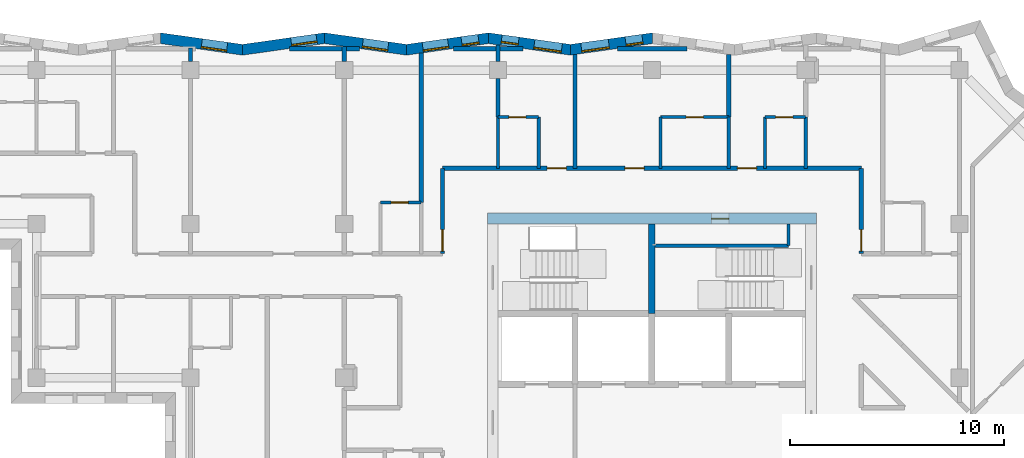
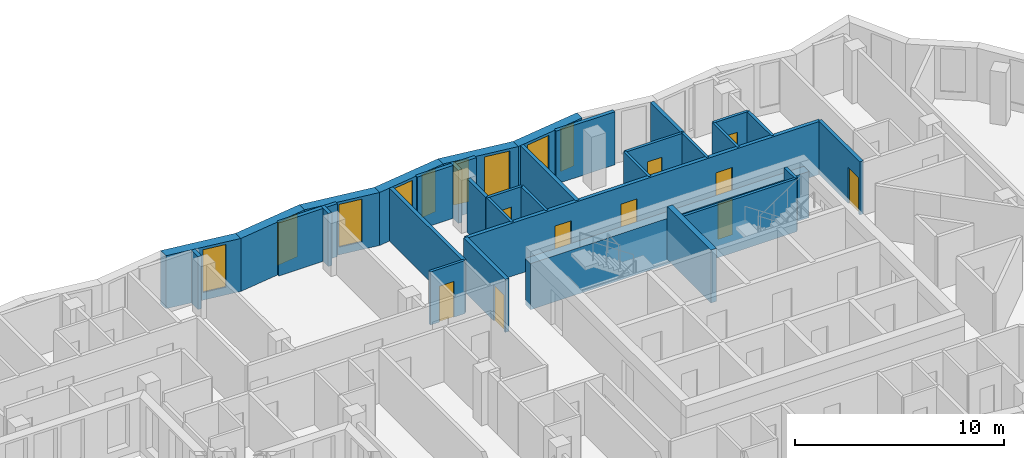
# One storey, part 7 of 13: 33 walls, 10 doors, 9 windows, 19 openings.
"""IFC4 building model written with IfcOpenShell, lengths in metres."""

from ifc_helpers import new_model, si_unit, direction, frame, frame_2d, origin, place, context, subcontext, project, spatial, polyline, rectangle, outline, extrude, material, layer, layer_set, type_object, element, fill, save


model = new_model("IFC4")

# Units and contexts
model_context = context("Model", 3, precision=1e-05, world=origin(), true_north=direction((0.0, 1.0)))
body_context = subcontext(model_context, "Body", "Model", "MODEL_VIEW")
ifc_project = project(units=[si_unit("LENGTHUNIT", "METRE"), si_unit("AREAUNIT", "SQUARE_METRE"), si_unit("VOLUMEUNIT", "CUBIC_METRE"), si_unit("PLANEANGLEUNIT", "RADIAN"), si_unit("MASSUNIT", "GRAM", prefix="KILO")], contexts=[model_context])

# Site, building, storey
site_placement = place(None, origin())
site = spatial("IfcSite", under=ifc_project, at=site_placement, CompositionType="ELEMENT")
building_placement = place(site_placement, origin())
building = spatial("IfcBuilding", under=site, at=building_placement, Name="Windrow Commons", CompositionType="ELEMENT")
storey_placement = place(building_placement, frame((0.0, 0.0, 216.8)))
storey = spatial("IfcBuildingStorey", under=building, at=storey_placement, Name="L59", CompositionType="ELEMENT", Elevation=216.8)

# Wall, openings, windows
ifc_material_1 = material(Name="Brick masonry, red clay brick", Category="masonry")
ifc_layer_1 = layer(ifc_material_1, 0.5)
ifc_layer_set_1 = layer_set([ifc_layer_1], Name="Brick facade wall 500")
wall_type_1 = type_object("IfcWallType", Name="Brick facade wall 500", PredefinedType="SOLIDWALL", material=ifc_layer_set_1)
wall_1_placement = place(storey_placement, frame((64.8238, 73.4895, 0.0), z_axis=(0.0, 0.0, 1.0), x_axis=(-0.9901681853, -0.1398819675, 0.0)))
wall_1 = element("IfcWall", 1, at=wall_1_placement, inside=storey, type_object=wall_type_1, Name="Brick facade wall L59 21", PredefinedType="SOLIDWALL", context=body_context, shape_type="SweptSolid", body=[
    extrude(outline(polyline([(-0.0353, -0.25), (3.8394, -0.25), (3.91, 0.25), (0.0353, 0.25), (-0.0353, -0.25)])), origin(), (0.0, 0.0, 1.0), 3.1),
])
opening_1_placement = place(wall_1_placement, frame((2.055, 0.0, 0.45)))
opening_1 = element("IfcOpeningElement", 2, at=opening_1_placement, cuts=wall_1, Name="Opening W1Q", PredefinedType="OPENING", context=body_context, shape_type="SweptSolid", body=[
    extrude(rectangle(XDim=1.3, YDim=2.5, at=frame_2d((0.65, 1.25))), frame((0.0, 0.26, 0.0), z_axis=(0.0, -1.0, 0.0), x_axis=(1.0, 0.0, 0.0)), (0.0, 0.0, 1.0), 0.52),
])
opening_2_placement = place(wall_1_placement, frame((0.465, 0.0, 0.45)))
opening_2 = element("IfcOpeningElement", 3, at=opening_2_placement, cuts=wall_1, Name="Opening W1N", PredefinedType="OPENING", context=body_context, shape_type="SweptSolid", body=[
    extrude(rectangle(XDim=0.8, YDim=2.5, at=frame_2d((0.4, 1.25))), frame((0.0, 0.26, 0.0), z_axis=(0.0, -1.0, 0.0), x_axis=(1.0, 0.0, 0.0)), (0.0, 0.0, 1.0), 0.52),
])
ifc_material_2 = material(Name="Clear float glass in anodised aluminium frame", Category="aluminium")
window_type_1 = type_object("IfcWindowType", Name="Window W1N slit 800x2500", PartitioningType="SINGLE_PANEL", PredefinedType="WINDOW", material=ifc_material_2)
window_1_placement = place(opening_2_placement, origin())
window_1 = element("IfcWindow", 4, at=window_1_placement, inside=storey, type_object=window_type_1, Name="Window L59 21.1AA", OverallHeight=2.5, OverallWidth=0.8, PartitioningType="SINGLE_PANEL", PredefinedType="WINDOW", context=body_context, shape_type="SweptSolid", body=[
    extrude(rectangle(XDim=0.8, YDim=2.5, at=frame_2d((0.4, 1.25))), frame((0.0, 0.18, 0.0), z_axis=(0.0, -1.0, 0.0), x_axis=(1.0, 0.0, 0.0)), (0.0, 0.0, 1.0), 0.06),
])
fill(opening_2, window_1)
ifc_material_3 = material(Name="Clear float glass in anodised aluminium frame", Category="aluminium")
window_type_2 = type_object("IfcWindowType", Name="Window W1Q pair 1300x2500", PartitioningType="SINGLE_PANEL", PredefinedType="WINDOW", material=ifc_material_3)
window_2_placement = place(opening_1_placement, origin())
window_2 = element("IfcWindow", 5, at=window_2_placement, inside=storey, type_object=window_type_2, Name="Window L59 21.1B", OverallHeight=2.5, OverallWidth=1.3, PartitioningType="SINGLE_PANEL", PredefinedType="WINDOW", context=body_context, shape_type="SweptSolid", body=[
    extrude(rectangle(XDim=1.3, YDim=2.5, at=frame_2d((0.65, 1.25))), frame((0.0, 0.18, 0.0), z_axis=(0.0, -1.0, 0.0), x_axis=(1.0, 0.0, 0.0)), (0.0, 0.0, 1.0), 0.06),
])
fill(opening_1, window_2)

wall_2_placement = place(storey_placement, frame((60.9872, 72.9475, 0.0), z_axis=(0.0, 0.0, 1.0), x_axis=(-0.9901681853, 0.1398819675, 0.0)))
wall_2 = element("IfcWall", 6, at=wall_2_placement, inside=storey, type_object=wall_type_1, Name="Brick facade wall L59 22", PredefinedType="SOLIDWALL", context=body_context, shape_type="SweptSolid", body=[
    extrude(outline(polyline([(0.0353, -0.25), (3.91, -0.25), (3.8394, 0.25), (-0.0353, 0.25), (0.0353, -0.25)])), origin(), (0.0, 0.0, 1.0), 3.1),
])
opening_3_placement = place(wall_2_placement, frame((0.4104, 0.0, 0.45)))
opening_3 = element("IfcOpeningElement", 7, at=opening_3_placement, cuts=wall_2, Name="Opening W1Q", PredefinedType="OPENING", context=body_context, shape_type="SweptSolid", body=[
    extrude(rectangle(XDim=1.3, YDim=2.5, at=frame_2d((0.65, 1.25))), frame((0.0, 0.26, 0.0), z_axis=(0.0, -1.0, 0.0), x_axis=(1.0, 0.0, 0.0)), (0.0, 0.0, 1.0), 0.52),
])
opening_4_placement = place(wall_2_placement, frame((2.4593, 0.0, 0.45)))
opening_4 = element("IfcOpeningElement", 8, at=opening_4_placement, cuts=wall_2, Name="Opening W1N", PredefinedType="OPENING", context=body_context, shape_type="SweptSolid", body=[
    extrude(rectangle(XDim=0.8, YDim=2.5, at=frame_2d((0.4, 1.25))), frame((0.0, 0.26, 0.0), z_axis=(0.0, -1.0, 0.0), x_axis=(1.0, 0.0, 0.0)), (0.0, 0.0, 1.0), 0.52),
])
window_3_placement = place(opening_4_placement, origin())
window_3 = element("IfcWindow", 9, at=window_3_placement, inside=storey, type_object=window_type_1, Name="Window L59 22.1BA", OverallHeight=2.5, OverallWidth=0.8, PartitioningType="SINGLE_PANEL", PredefinedType="WINDOW", context=body_context, shape_type="SweptSolid", body=[
    extrude(rectangle(XDim=0.8, YDim=2.5, at=frame_2d((0.4, 1.25))), frame((0.0, 0.12, 0.0), z_axis=(0.0, -1.0, 0.0), x_axis=(1.0, 0.0, 0.0)), (0.0, 0.0, 1.0), 0.06),
])
fill(opening_4, window_3)
window_4_placement = place(opening_3_placement, origin())
window_4 = element("IfcWindow", 10, at=window_4_placement, inside=storey, type_object=window_type_2, Name="Window L59 22.1A", OverallHeight=2.5, OverallWidth=1.3, PartitioningType="SINGLE_PANEL", PredefinedType="WINDOW", context=body_context, shape_type="SweptSolid", body=[
    extrude(rectangle(XDim=1.3, YDim=2.5, at=frame_2d((0.65, 1.25))), frame((0.0, 0.18, 0.0), z_axis=(0.0, -1.0, 0.0), x_axis=(1.0, 0.0, 0.0)), (0.0, 0.0, 1.0), 0.06),
])
fill(opening_3, window_4)

wall_3_placement = place(storey_placement, frame((57.1506, 73.4895, 0.0), z_axis=(0.0, 0.0, 1.0), x_axis=(-0.9901676803, -0.1398855422, 0.0)))
wall_3 = element("IfcWall", 11, at=wall_3_placement, inside=storey, type_object=wall_type_1, Name="Brick facade wall L59 23", PredefinedType="SOLIDWALL", context=body_context, shape_type="SweptSolid", body=[
    extrude(outline(polyline([(-0.0353, -0.25), (3.8394, -0.25), (3.91, 0.25), (0.0353, 0.25), (-0.0353, -0.25)])), origin(), (0.0, 0.0, 1.0), 3.1),
])
opening_5_placement = place(wall_3_placement, frame((0.465, 0.0, 0.45)))
opening_5 = element("IfcOpeningElement", 12, at=opening_5_placement, cuts=wall_3, Name="Opening W1N", PredefinedType="OPENING", context=body_context, shape_type="SweptSolid", body=[
    extrude(rectangle(XDim=0.8, YDim=2.5, at=frame_2d((0.4, 1.25))), frame((0.0, 0.26, 0.0), z_axis=(0.0, -1.0, 0.0), x_axis=(1.0, 0.0, 0.0)), (0.0, 0.0, 1.0), 0.52),
])
opening_6_placement = place(wall_3_placement, frame((1.9023, 0.0, 0.5)))
opening_6 = element("IfcOpeningElement", 13, at=opening_6_placement, cuts=wall_3, Name="Opening W7D", PredefinedType="OPENING", context=body_context, shape_type="SweptSolid", body=[
    extrude(rectangle(XDim=1.2, YDim=2.45, at=frame_2d((0.6, 1.225))), frame((0.0, 0.26, 0.0), z_axis=(0.0, -1.0, 0.0), x_axis=(1.0, 0.0, 0.0)), (0.0, 0.0, 1.0), 0.52),
])
window_5_placement = place(opening_5_placement, origin())
window_5 = element("IfcWindow", 14, at=window_5_placement, inside=storey, type_object=window_type_1, Name="Window L59 23.1A", OverallHeight=2.5, OverallWidth=0.8, PartitioningType="SINGLE_PANEL", PredefinedType="WINDOW", context=body_context, shape_type="SweptSolid", body=[
    extrude(rectangle(XDim=0.8, YDim=2.5, at=frame_2d((0.4, 1.25))), frame((0.0, 0.18, 0.0), z_axis=(0.0, -1.0, 0.0), x_axis=(1.0, 0.0, 0.0)), (0.0, 0.0, 1.0), 0.06),
])
fill(opening_5, window_5)
ifc_material_4 = material(Name="Clear float glass in anodised aluminium frame", Category="aluminium")
window_type_3 = type_object("IfcWindowType", Name="Window W7 notch 1200x2450", PartitioningType="SINGLE_PANEL", PredefinedType="WINDOW", material=ifc_material_4)
window_6_placement = place(opening_6_placement, origin())
window_6 = element("IfcWindow", 15, at=window_6_placement, inside=storey, type_object=window_type_3, Name="Window L59 23.1B", OverallHeight=2.45, OverallWidth=1.2, PartitioningType="SINGLE_PANEL", PredefinedType="WINDOW", context=body_context, shape_type="SweptSolid", body=[
    extrude(rectangle(XDim=1.2, YDim=2.45, at=frame_2d((0.6, 1.225))), frame((0.0, 0.18, 0.0), z_axis=(0.0, -1.0, 0.0), x_axis=(1.0, 0.0, 0.0)), (0.0, 0.0, 1.0), 0.06),
])
fill(opening_6, window_6)

# Wall, opening, window
wall_4_placement = place(storey_placement, frame((53.3141, 72.9475, 0.0), z_axis=(0.0, 0.0, 1.0), x_axis=(-0.9901681853, 0.1398819675, 0.0)))
wall_4 = element("IfcWall", 16, at=wall_4_placement, inside=storey, type_object=wall_type_1, Name="Brick facade wall L59 24", PredefinedType="SOLIDWALL", context=body_context, shape_type="SweptSolid", body=[
    extrude(outline(polyline([(0.0353, -0.25), (3.91, -0.25), (3.8394, 0.25), (-0.0353, 0.25), (0.0353, -0.25)])), origin(), (0.0, 0.0, 1.0), 3.1),
])
opening_7_placement = place(wall_4_placement, frame((0.8715, 0.0, 0.45)))
opening_7 = element("IfcOpeningElement", 17, at=opening_7_placement, cuts=wall_4, Name="Opening W7E", PredefinedType="OPENING", context=body_context, shape_type="SweptSolid", body=[
    extrude(rectangle(XDim=1.2, YDim=2.5, at=frame_2d((0.6, 1.25))), frame((0.0, 0.26, 0.0), z_axis=(0.0, -1.0, 0.0), x_axis=(1.0, 0.0, 0.0)), (0.0, 0.0, 1.0), 0.52),
])
ifc_material_5 = material(Name="Clear float glass in anodised aluminium frame", Category="aluminium")
window_type_4 = type_object("IfcWindowType", Name="Window W7 notch 1200x2500", PartitioningType="SINGLE_PANEL", PredefinedType="WINDOW", material=ifc_material_5)
window_7_placement = place(opening_7_placement, origin())
window_7 = element("IfcWindow", 18, at=window_7_placement, inside=storey, type_object=window_type_4, Name="Window L59 24.1", OverallHeight=2.5, OverallWidth=1.2, PartitioningType="SINGLE_PANEL", PredefinedType="WINDOW", context=body_context, shape_type="SweptSolid", body=[
    extrude(rectangle(XDim=1.2, YDim=2.5, at=frame_2d((0.6, 1.25))), frame((0.0, 0.18, 0.0), z_axis=(0.0, -1.0, 0.0), x_axis=(1.0, 0.0, 0.0)), (0.0, 0.0, 1.0), 0.06),
])
fill(opening_7, window_7)

wall_5_placement = place(storey_placement, frame((49.4775, 73.4895, 0.0), z_axis=(0.0, 0.0, 1.0), x_axis=(-0.9901681853, -0.1398819675, 0.0)))
wall_5 = element("IfcWall", 19, at=wall_5_placement, inside=storey, type_object=wall_type_1, Name="Brick facade wall L59 25", PredefinedType="SOLIDWALL", context=body_context, shape_type="SweptSolid", body=[
    extrude(outline(polyline([(-0.0353, -0.25), (3.8394, -0.25), (3.91, 0.25), (0.0353, 0.25), (-0.0353, -0.25)])), origin(), (0.0, 0.0, 1.0), 3.1),
])
opening_8_placement = place(wall_5_placement, frame((0.3697, 0.0, 0.45)))
opening_8 = element("IfcOpeningElement", 20, at=opening_8_placement, cuts=wall_5, Name="Opening W7E", PredefinedType="OPENING", context=body_context, shape_type="SweptSolid", body=[
    extrude(rectangle(XDim=1.2, YDim=2.5, at=frame_2d((0.6, 1.25))), frame((0.0, 0.26, 0.0), z_axis=(0.0, -1.0, 0.0), x_axis=(1.0, 0.0, 0.0)), (0.0, 0.0, 1.0), 0.52),
])
window_8_placement = place(opening_8_placement, origin())
window_8 = element("IfcWindow", 21, at=window_8_placement, inside=storey, type_object=window_type_4, Name="Window L59 25.1", OverallHeight=2.5, OverallWidth=1.2, PartitioningType="SINGLE_PANEL", PredefinedType="WINDOW", context=body_context, shape_type="SweptSolid", body=[
    extrude(rectangle(XDim=1.2, YDim=2.5, at=frame_2d((0.6, 1.25))), frame((0.0, 0.14, 0.0), z_axis=(0.0, -1.0, 0.0), x_axis=(1.0, 0.0, 0.0)), (0.0, 0.0, 1.0), 0.06),
])
fill(opening_8, window_8)

wall_6_placement = place(storey_placement, frame((45.6409, 72.9475, 0.0), z_axis=(0.0, 0.0, 1.0), x_axis=(-0.9901681853, 0.1398819675, 0.0)))
wall_6 = element("IfcWall", 22, at=wall_6_placement, inside=storey, type_object=wall_type_1, Name="Brick facade wall L59 26", PredefinedType="SOLIDWALL", context=body_context, shape_type="SweptSolid", body=[
    extrude(outline(polyline([(0.0353, -0.25), (3.91, -0.25), (3.8394, 0.25), (-0.0353, 0.25), (0.0353, -0.25)])), origin(), (0.0, 0.0, 1.0), 3.1),
])
opening_9_placement = place(wall_6_placement, frame((0.7326, 0.0, 0.45)))
opening_9 = element("IfcOpeningElement", 23, at=opening_9_placement, cuts=wall_6, Name="Opening W7E", PredefinedType="OPENING", context=body_context, shape_type="SweptSolid", body=[
    extrude(rectangle(XDim=1.2, YDim=2.5, at=frame_2d((0.6, 1.25))), frame((0.0, 0.26, 0.0), z_axis=(0.0, -1.0, 0.0), x_axis=(1.0, 0.0, 0.0)), (0.0, 0.0, 1.0), 0.52),
])
window_9_placement = place(opening_9_placement, origin())
window_9 = element("IfcWindow", 24, at=window_9_placement, inside=storey, type_object=window_type_4, Name="Window L59 26.1", OverallHeight=2.5, OverallWidth=1.2, PartitioningType="SINGLE_PANEL", PredefinedType="WINDOW", context=body_context, shape_type="SweptSolid", body=[
    extrude(rectangle(XDim=1.2, YDim=2.5, at=frame_2d((0.6, 1.25))), frame((0.0, 0.18, 0.0), z_axis=(0.0, -1.0, 0.0), x_axis=(1.0, 0.0, 0.0)), (0.0, 0.0, 1.0), 0.06),
])
fill(opening_9, window_9)

# Wall, openings, doors
ifc_material_6 = material(Name="Blockwork partition", Category="masonry")
ifc_layer_2 = layer(ifc_material_6, 0.2)
ifc_layer_set_2 = layer_set([ifc_layer_2], Name="IW-CORRIDOR-200")
wall_type_2 = type_object("IfcWallType", Name="IW-CORRIDOR-200", PredefinedType="PARTITIONING", material=ifc_layer_set_2)
wall_7_placement = place(storey_placement, frame((55.0, 67.4, 0.0), z_axis=(0.0, 0.0, 1.0), x_axis=(1.0, 0.0, 0.0)))
wall_7 = element("IfcWall", 25, at=wall_7_placement, inside=storey, type_object=wall_type_2, Name="W-L59-W000", PredefinedType="PARTITIONING", context=body_context, shape_type="SweptSolid", body=[
    extrude(rectangle(XDim=19.6, YDim=0.2, at=frame_2d((9.8, 0.0))), origin(), (0.0, 0.0, 1.0), 3.1),
])
opening_10_placement = place(wall_7_placement, frame((4.9, 0.0, 0.0)))
opening_10 = element("IfcOpeningElement", 26, at=opening_10_placement, cuts=wall_7, Name="Opening D109S", PredefinedType="OPENING", context=body_context, shape_type="SweptSolid", body=[
    extrude(rectangle(XDim=0.9, YDim=2.1, at=frame_2d((0.45, 1.05))), frame((0.0, 0.11, 0.0), z_axis=(0.0, -1.0, 0.0), x_axis=(1.0, 0.0, 0.0)), (0.0, 0.0, 1.0), 0.22),
])
opening_11_placement = place(wall_7_placement, frame((8.5393, 0.0, 0.0)))
opening_11 = element("IfcOpeningElement", 27, at=opening_11_placement, cuts=wall_7, Name="Opening D109F", PredefinedType="OPENING", context=body_context, shape_type="SweptSolid", body=[
    extrude(rectangle(XDim=0.9, YDim=2.1, at=frame_2d((0.45, 1.05))), frame((0.0, 0.11, 0.0), z_axis=(0.0, -1.0, 0.0), x_axis=(1.0, 0.0, 0.0)), (0.0, 0.0, 1.0), 0.22),
])
opening_12_placement = place(wall_7_placement, frame((13.8, 0.0, 0.0)))
opening_12 = element("IfcOpeningElement", 28, at=opening_12_placement, cuts=wall_7, Name="Opening D109S", PredefinedType="OPENING", context=body_context, shape_type="SweptSolid", body=[
    extrude(rectangle(XDim=0.9, YDim=2.1, at=frame_2d((0.45, 1.05))), frame((0.0, 0.11, 0.0), z_axis=(0.0, -1.0, 0.0), x_axis=(1.0, 0.0, 0.0)), (0.0, 0.0, 1.0), 0.22),
])
ifc_material_7 = material(Name="Timber door leaf", Category="wood")
door_type_1 = type_object("IfcDoorType", Name="DT-BEDROOM-900", OperationType="SINGLE_SWING_LEFT", PredefinedType="DOOR", material=ifc_material_7)
door_1_placement = place(opening_10_placement, origin())
door_1 = element("IfcDoor", 29, at=door_1_placement, inside=storey, type_object=door_type_1, Name="D-L59-D027", OperationType="SINGLE_SWING_RIGHT", OverallHeight=2.1, OverallWidth=0.9, PredefinedType="DOOR", context=body_context, shape_type="SweptSolid", body=[
    extrude(rectangle(XDim=0.9, YDim=2.1, at=frame_2d((0.45, 1.05))), frame((0.0, 0.025, 0.0), z_axis=(0.0, -1.0, 0.0), x_axis=(1.0, 0.0, 0.0)), (0.0, 0.0, 1.0), 0.05),
])
fill(opening_10, door_1)
door_2_placement = place(opening_11_placement, origin())
door_2 = element("IfcDoor", 30, at=door_2_placement, inside=storey, type_object=door_type_1, Name="D-L59-D029", OperationType="SINGLE_SWING_LEFT", OverallHeight=2.1, OverallWidth=0.9, PredefinedType="DOOR", context=body_context, shape_type="SweptSolid", body=[
    extrude(rectangle(XDim=0.9, YDim=2.1, at=frame_2d((0.45, 1.05))), frame((0.0, 0.025, 0.0), z_axis=(0.0, -1.0, 0.0), x_axis=(1.0, 0.0, 0.0)), (0.0, 0.0, 1.0), 0.05),
])
fill(opening_11, door_2)
door_3_placement = place(opening_12_placement, origin())
door_3 = element("IfcDoor", 31, at=door_3_placement, inside=storey, type_object=door_type_1, Name="D-L59-D031", OperationType="SINGLE_SWING_LEFT", OverallHeight=2.1, OverallWidth=0.9, PredefinedType="DOOR", context=body_context, shape_type="SweptSolid", body=[
    extrude(rectangle(XDim=0.9, YDim=2.1, at=frame_2d((0.45, 1.05))), frame((0.0, 0.025, 0.0), z_axis=(0.0, -1.0, 0.0), x_axis=(1.0, 0.0, 0.0)), (0.0, 0.0, 1.0), 0.05),
])
fill(opening_12, door_3)

# Wall, opening, door
wall_8_placement = place(storey_placement, frame((55.0, 63.402, 0.0), z_axis=(0.0, 0.0, 1.0), x_axis=(0.0, 1.0, 0.0)))
wall_8 = element("IfcWall", 32, at=wall_8_placement, inside=storey, type_object=wall_type_2, Name="W-L59-W041", PredefinedType="PARTITIONING", context=body_context, shape_type="SweptSolid", body=[
    extrude(rectangle(XDim=3.998, YDim=0.2, at=frame_2d((1.999, 0.0))), origin(), (0.0, 0.0, 1.0), 3.1),
])
opening_13_placement = place(wall_8_placement, frame((0.1247, 0.0, 0.0)))
opening_13 = element("IfcOpeningElement", 33, at=opening_13_placement, cuts=wall_8, Name="Opening D310F", PredefinedType="OPENING", context=body_context, shape_type="SweptSolid", body=[
    extrude(rectangle(XDim=1.0, YDim=2.1, at=frame_2d((0.5, 1.05))), frame((0.0, 0.11, 0.0), z_axis=(0.0, -1.0, 0.0), x_axis=(1.0, 0.0, 0.0)), (0.0, 0.0, 1.0), 0.22),
])
ifc_material_8 = material(Name="Timber door leaf", Category="wood")
door_type_2 = type_object("IfcDoorType", Name="DT-AMENITY-1000", OperationType="SINGLE_SWING_LEFT", PredefinedType="DOOR", material=ifc_material_8)
door_4_placement = place(opening_13_placement, origin())
door_4 = element("IfcDoor", 34, at=door_4_placement, inside=storey, type_object=door_type_2, Name="D-L59-D015", OperationType="SINGLE_SWING_LEFT", OverallHeight=2.1, OverallWidth=1.0, PredefinedType="DOOR", context=body_context, shape_type="SweptSolid", body=[
    extrude(rectangle(XDim=1.0, YDim=2.1, at=frame_2d((0.5, 1.05))), frame((0.0, 0.025, 0.0), z_axis=(0.0, -1.0, 0.0), x_axis=(1.0, 0.0, 0.0)), (0.0, 0.0, 1.0), 0.05),
])
fill(opening_13, door_4)

wall_9_placement = place(storey_placement, frame((74.6, 63.402, 0.0), z_axis=(0.0, 0.0, 1.0), x_axis=(0.0, 1.0, 0.0)))
wall_9 = element("IfcWall", 35, at=wall_9_placement, inside=storey, type_object=wall_type_2, Name="W-L59-W042", PredefinedType="PARTITIONING", context=body_context, shape_type="SweptSolid", body=[
    extrude(rectangle(XDim=3.998, YDim=0.2, at=frame_2d((1.999, 0.0))), origin(), (0.0, 0.0, 1.0), 3.1),
])
opening_14_placement = place(wall_9_placement, frame((0.1247, 0.0, 0.0)))
opening_14 = element("IfcOpeningElement", 36, at=opening_14_placement, cuts=wall_9, Name="Opening D310F", PredefinedType="OPENING", context=body_context, shape_type="SweptSolid", body=[
    extrude(rectangle(XDim=1.0, YDim=2.1, at=frame_2d((0.5, 1.05))), frame((0.0, 0.11, 0.0), z_axis=(0.0, -1.0, 0.0), x_axis=(1.0, 0.0, 0.0)), (0.0, 0.0, 1.0), 0.22),
])
door_5_placement = place(opening_14_placement, origin())
door_5 = element("IfcDoor", 37, at=door_5_placement, inside=storey, type_object=door_type_2, Name="D-L59-D016", OperationType="SINGLE_SWING_RIGHT", OverallHeight=2.1, OverallWidth=1.0, PredefinedType="DOOR", context=body_context, shape_type="SweptSolid", body=[
    extrude(rectangle(XDim=1.0, YDim=2.1, at=frame_2d((0.5, 1.05))), frame((0.0, 0.025, 0.0), z_axis=(0.0, -1.0, 0.0), x_axis=(1.0, 0.0, 0.0)), (0.0, 0.0, 1.0), 0.05),
])
fill(opening_14, door_5)

ifc_material_9 = material(Name="Blockwork partition", Category="masonry")
ifc_layer_3 = layer(ifc_material_9, 0.15)
ifc_layer_set_3 = layer_set([ifc_layer_3], Name="IW-ENSUITE-150")
wall_type_3 = type_object("IfcWallType", Name="IW-ENSUITE-150", PredefinedType="PARTITIONING", material=ifc_layer_set_3)
wall_10_placement = place(storey_placement, frame((65.2, 69.8, 0.0), z_axis=(0.0, 0.0, 1.0), x_axis=(1.0, 0.0, 0.0)))
wall_10 = element("IfcWall", 38, at=wall_10_placement, inside=storey, type_object=wall_type_3, Name="W-L59-W056", PredefinedType="PARTITIONING", context=body_context, shape_type="SweptSolid", body=[
    extrude(rectangle(XDim=3.2, YDim=0.15, at=frame_2d((1.6, 0.0))), origin(), (0.0, 0.0, 1.0), 3.1),
])
opening_15_placement = place(wall_10_placement, frame((1.2042, 0.0, 0.0)))
opening_15 = element("IfcOpeningElement", 39, at=opening_15_placement, cuts=wall_10, Name="Opening D208N", PredefinedType="OPENING", context=body_context, shape_type="SweptSolid", body=[
    extrude(rectangle(XDim=0.8, YDim=2.1, at=frame_2d((0.4, 1.05))), frame((0.0, 0.085, 0.0), z_axis=(0.0, -1.0, 0.0), x_axis=(1.0, 0.0, 0.0)), (0.0, 0.0, 1.0), 0.17),
])
ifc_material_10 = material(Name="Timber door leaf", Category="wood")
door_type_3 = type_object("IfcDoorType", Name="DT-ENSUITE-800", OperationType="SINGLE_SWING_LEFT", PredefinedType="DOOR", material=ifc_material_10)
door_6_placement = place(opening_15_placement, origin())
door_6 = element("IfcDoor", 40, at=door_6_placement, inside=storey, type_object=door_type_3, Name="D-L59-D030", OperationType="SINGLE_SWING_RIGHT", OverallHeight=2.1, OverallWidth=0.8, PredefinedType="DOOR", context=body_context, shape_type="SweptSolid", body=[
    extrude(rectangle(XDim=0.8, YDim=2.1, at=frame_2d((0.4, 1.05))), frame((0.0, 0.025, 0.0), z_axis=(0.0, -1.0, 0.0), x_axis=(1.0, 0.0, 0.0)), (0.0, 0.0, 1.0), 0.05),
])
fill(opening_15, door_6)

# Walls
for number, where, z_axis, x_axis, name in (
    (41, (59.5, 67.4, 0.0), (0.0, 0.0, 1.0), (0.0, 1.0, 0.0), "W-L59-W089"),
    (42, (57.6, 67.4, 0.0), (0.0, 0.0, 1.0), (0.0, 1.0, 0.0), "W-L59-W090"),
    (43, (65.2, 67.4, 0.0), (0.0, 0.0, 1.0), (0.0, 1.0, 0.0), "W-L59-W091"),
    (44, (68.4, 67.4, 0.0), (0.0, 0.0, 1.0), (0.0, 1.0, 0.0), "W-L59-W092"),
    (45, (70.1, 67.4, 0.0), (0.0, 0.0, 1.0), (0.0, 1.0, 0.0), "W-L59-W093"),
    (46, (72.0, 67.4, 0.0), (0.0, 0.0, 1.0), (0.0, 1.0, 0.0), "W-L59-W094"),
):
    element("IfcWall", number, at=place(storey_placement, frame(where, z_axis=z_axis, x_axis=x_axis)), inside=storey, type_object=wall_type_3, Name=name, PredefinedType="PARTITIONING", context=body_context, shape_type="SweptSolid", body=[
        extrude(rectangle(XDim=2.4, YDim=0.15, at=frame_2d((1.2, 0.0))), origin(), (0.0, 0.0, 1.0), 3.1),
    ])

# Wall, opening, door
wall_11_placement = place(storey_placement, frame((70.1, 69.8, 0.0), z_axis=(0.0, 0.0, 1.0), x_axis=(1.0, 0.0, 0.0)))
wall_11 = element("IfcWall", 47, at=wall_11_placement, inside=storey, type_object=wall_type_3, Name="W-L59-W113", PredefinedType="PARTITIONING", context=body_context, shape_type="SweptSolid", body=[
    extrude(rectangle(XDim=1.9, YDim=0.15, at=frame_2d((0.95, 0.0))), origin(), (0.0, 0.0, 1.0), 3.1),
])
opening_16_placement = place(wall_11_placement, frame((0.4931, 0.0, 0.0)))
opening_16 = element("IfcOpeningElement", 48, at=opening_16_placement, cuts=wall_11, Name="Opening D208N", PredefinedType="OPENING", context=body_context, shape_type="SweptSolid", body=[
    extrude(rectangle(XDim=0.8, YDim=2.1, at=frame_2d((0.4, 1.05))), frame((0.0, 0.085, 0.0), z_axis=(0.0, -1.0, 0.0), x_axis=(1.0, 0.0, 0.0)), (0.0, 0.0, 1.0), 0.17),
])
door_7_placement = place(opening_16_placement, origin())
door_7 = element("IfcDoor", 49, at=door_7_placement, inside=storey, type_object=door_type_3, Name="D-L59-D032", OperationType="SINGLE_SWING_RIGHT", OverallHeight=2.1, OverallWidth=0.8, PredefinedType="DOOR", context=body_context, shape_type="SweptSolid", body=[
    extrude(rectangle(XDim=0.8, YDim=2.1, at=frame_2d((0.4, 1.05))), frame((0.0, 0.025, 0.0), z_axis=(0.0, -1.0, 0.0), x_axis=(1.0, 0.0, 0.0)), (0.0, 0.0, 1.0), 0.05),
])
fill(opening_16, door_7)

wall_12_placement = place(storey_placement, frame((52.1, 65.8, 0.0), z_axis=(0.0, 0.0, 1.0), x_axis=(1.0, 0.0, 0.0)))
wall_12 = element("IfcWall", 50, at=wall_12_placement, inside=storey, type_object=wall_type_3, Name="W-L59-W118", PredefinedType="PARTITIONING", context=body_context, shape_type="SweptSolid", body=[
    extrude(rectangle(XDim=1.9, YDim=0.15, at=frame_2d((0.95, 0.0))), origin(), (0.0, 0.0, 1.0), 3.1),
])
opening_17_placement = place(wall_12_placement, frame((0.4931, 0.0, 0.0)))
opening_17 = element("IfcOpeningElement", 51, at=opening_17_placement, cuts=wall_12, Name="Opening D208N", PredefinedType="OPENING", context=body_context, shape_type="SweptSolid", body=[
    extrude(rectangle(XDim=0.8, YDim=2.1, at=frame_2d((0.4, 1.05))), frame((0.0, 0.085, 0.0), z_axis=(0.0, -1.0, 0.0), x_axis=(1.0, 0.0, 0.0)), (0.0, 0.0, 1.0), 0.17),
])
door_8_placement = place(opening_17_placement, origin())
door_8 = element("IfcDoor", 52, at=door_8_placement, inside=storey, type_object=door_type_3, Name="D-L59-D014", OperationType="SINGLE_SWING_RIGHT", OverallHeight=2.1, OverallWidth=0.8, PredefinedType="DOOR", context=body_context, shape_type="SweptSolid", body=[
    extrude(rectangle(XDim=0.8, YDim=2.1, at=frame_2d((0.4, 1.05))), frame((0.0, 0.025, 0.0), z_axis=(0.0, -1.0, 0.0), x_axis=(1.0, 0.0, 0.0)), (0.0, 0.0, 1.0), 0.05),
])
fill(opening_17, door_8)

wall_13_placement = place(storey_placement, frame((57.6, 69.8, 0.0), z_axis=(0.0, 0.0, 1.0), x_axis=(1.0, 0.0, 0.0)))
wall_13 = element("IfcWall", 53, at=wall_13_placement, inside=storey, type_object=wall_type_3, Name="W-L59-W120", PredefinedType="PARTITIONING", context=body_context, shape_type="SweptSolid", body=[
    extrude(rectangle(XDim=1.9, YDim=0.15, at=frame_2d((0.95, 0.0))), origin(), (0.0, 0.0, 1.0), 3.1),
])
opening_18_placement = place(wall_13_placement, frame((0.5021, 0.0, 0.0)))
opening_18 = element("IfcOpeningElement", 54, at=opening_18_placement, cuts=wall_13, Name="Opening D208N", PredefinedType="OPENING", context=body_context, shape_type="SweptSolid", body=[
    extrude(rectangle(XDim=0.8, YDim=2.1, at=frame_2d((0.4, 1.05))), frame((0.0, 0.085, 0.0), z_axis=(0.0, -1.0, 0.0), x_axis=(1.0, 0.0, 0.0)), (0.0, 0.0, 1.0), 0.17),
])
door_9_placement = place(opening_18_placement, origin())
door_9 = element("IfcDoor", 55, at=door_9_placement, inside=storey, type_object=door_type_3, Name="D-L59-D028", OperationType="SINGLE_SWING_RIGHT", OverallHeight=2.1, OverallWidth=0.8, PredefinedType="DOOR", context=body_context, shape_type="SweptSolid", body=[
    extrude(rectangle(XDim=0.8, YDim=2.1, at=frame_2d((0.4, 1.05))), frame((0.0, 0.025, 0.0), z_axis=(0.0, -1.0, 0.0), x_axis=(1.0, 0.0, 0.0)), (0.0, 0.0, 1.0), 0.05),
])
fill(opening_18, door_9)

# Walls
ifc_material_11 = material(Name="Blockwork partition", Category="masonry")
ifc_layer_4 = layer(ifc_material_11, 0.2)
ifc_layer_set_4 = layer_set([ifc_layer_4], Name="IW-PARTY-200")
wall_type_4 = type_object("IfcWallType", Name="IW-PARTY-200", PredefinedType="PARTITIONING", material=ifc_layer_set_4)
wall_14_placement = place(storey_placement, frame((54.0, 65.8, 0.0), z_axis=(0.0, 0.0, 1.0), x_axis=(0.0, 1.0, 0.0)))
element("IfcWall", 56, at=wall_14_placement, inside=storey, type_object=wall_type_4, Name="W-L59-W015", PredefinedType="PARTITIONING", context=body_context, shape_type="SweptSolid", body=[
    extrude(rectangle(XDim=6.9919, YDim=0.2, at=frame_2d((3.496, 0.0))), origin(), (0.0, 0.0, 1.0), 3.1),
])
wall_15_placement = place(storey_placement, frame((61.2, 67.4, 0.0), z_axis=(0.0, 0.0, 1.0), x_axis=(0.0, 1.0, 0.0)))
element("IfcWall", 57, at=wall_15_placement, inside=storey, type_object=wall_type_4, Name="W-L59-W027", PredefinedType="PARTITIONING", context=body_context, shape_type="SweptSolid", body=[
    extrude(rectangle(XDim=5.3251, YDim=0.2, at=frame_2d((2.6625, 0.0))), origin(), (0.0, 0.0, 1.0), 3.1),
])
wall_16_placement = place(storey_placement, frame((47.8496, 73.0, 0.0), z_axis=(0.0, 0.0, 1.0), x_axis=(1.0, 0.0, 0.0)))
element("IfcWall", 58, at=wall_16_placement, inside=storey, type_object=wall_type_4, Name="W-L59-W053", PredefinedType="PARTITIONING", context=body_context, shape_type="SweptSolid", body=[
    extrude(rectangle(XDim=3.2558, YDim=0.2, at=frame_2d((1.6279, 0.0))), origin(), (0.0, 0.0, 1.0), 3.1),
])
wall_17_placement = place(storey_placement, frame((55.5228, 73.0, 0.0), z_axis=(0.0, 0.0, 1.0), x_axis=(1.0, 0.0, 0.0)))
element("IfcWall", 59, at=wall_17_placement, inside=storey, type_object=wall_type_4, Name="W-L59-W054", PredefinedType="PARTITIONING", context=body_context, shape_type="SweptSolid", body=[
    extrude(rectangle(XDim=3.2557, YDim=0.2, at=frame_2d((1.6279, 0.0))), origin(), (0.0, 0.0, 1.0), 3.1),
])
wall_18_placement = place(storey_placement, frame((63.1959, 73.0, 0.0), z_axis=(0.0, 0.0, 1.0), x_axis=(1.0, 0.0, 0.0)))
element("IfcWall", 60, at=wall_18_placement, inside=storey, type_object=wall_type_4, Name="W-L59-W055", PredefinedType="PARTITIONING", context=body_context, shape_type="SweptSolid", body=[
    extrude(rectangle(XDim=3.2558, YDim=0.2, at=frame_2d((1.6279, 0.0))), origin(), (0.0, 0.0, 1.0), 3.1),
])
wall_19_placement = place(storey_placement, frame((68.4, 69.8, 0.0), z_axis=(0.0, 0.0, 1.0), x_axis=(0.0, 1.0, 0.0)))
element("IfcWall", 61, at=wall_19_placement, inside=storey, type_object=wall_type_4, Name="W-L59-W058", PredefinedType="PARTITIONING", context=body_context, shape_type="SweptSolid", body=[
    extrude(rectangle(XDim=2.9318, YDim=0.2, at=frame_2d((1.4659, 0.0))), origin(), (0.0, 0.0, 1.0), 3.1),
])
wall_20_placement = place(storey_placement, frame((57.6, 69.8, 0.0), z_axis=(0.0, 0.0, 1.0), x_axis=(0.0, 1.0, 0.0)))
element("IfcWall", 62, at=wall_20_placement, inside=storey, type_object=wall_type_4, Name="W-L59-W125", PredefinedType="PARTITIONING", context=body_context, shape_type="SweptSolid", body=[
    extrude(rectangle(XDim=1.8, YDim=0.2, at=frame_2d((0.9, 0.0))), origin(), (0.0, 0.0, 1.0), 3.1),
])
wall_21_placement = place(storey_placement, frame((50.4, 72.4, 0.0), z_axis=(0.0, 0.0, 1.0), x_axis=(0.0, 1.0, 0.0)))
element("IfcWall", 63, at=wall_21_placement, inside=storey, type_object=wall_type_4, Name="W-L59-W151", PredefinedType="PARTITIONING", context=body_context, shape_type="SweptSolid", body=[
    extrude(rectangle(XDim=0.7067, YDim=0.2, at=frame_2d((0.3533, 0.0))), origin(), (0.0, 0.0, 1.0), 3.1),
])
wall_22_placement = place(storey_placement, frame((57.6, 72.4, 0.0), z_axis=(0.0, 0.0, 1.0), x_axis=(0.0, 1.0, 0.0)))
element("IfcWall", 64, at=wall_22_placement, inside=storey, type_object=wall_type_4, Name="W-L59-W156", PredefinedType="PARTITIONING", context=body_context, shape_type="SweptSolid", body=[
    extrude(rectangle(XDim=0.7736, YDim=0.2, at=frame_2d((0.3868, 0.0))), origin(), (0.0, 0.0, 1.0), 3.1),
])
wall_23_placement = place(storey_placement, frame((43.2, 72.4, 0.0), z_axis=(0.0, 0.0, 1.0), x_axis=(0.0, 1.0, 0.0)))
element("IfcWall", 65, at=wall_23_placement, inside=storey, type_object=wall_type_4, Name="W-L59-W158", PredefinedType="PARTITIONING", context=body_context, shape_type="SweptSolid", body=[
    extrude(rectangle(XDim=0.6399, YDim=0.2, at=frame_2d((0.32, 0.0))), origin(), (0.0, 0.0, 1.0), 3.1),
])

# Wall, opening, door
ifc_material_12 = material(Name="Concrete C40/50", Category="concrete")
ifc_layer_5 = layer(ifc_material_12, 0.5)
ifc_layer_set_5 = layer_set([ifc_layer_5], Name="RC CORE WALL 500 C40/50")
wall_type_5 = type_object("IfcWallType", Name="RC CORE WALL 500 C40/50", PredefinedType="SHEAR", material=ifc_layer_set_5)
wall_24_placement = place(storey_placement, frame((57.1, 65.05, -0.3), z_axis=(0.0, 0.0, 1.0), x_axis=(1.0, 0.0, 0.0)))
wall_24 = element("IfcWall", 66, at=wall_24_placement, inside=storey, type_object=wall_type_5, Name="Core A wall outer-N", PredefinedType="SHEAR", context=body_context, shape_type="SweptSolid", body=[
    extrude(rectangle(XDim=15.4, YDim=0.5, at=frame_2d((7.7, 0.0))), origin(), (0.0, 0.0, 1.0), 2.7),
])
opening_19_placement = place(wall_24_placement, frame((10.5, 0.0, 0.3)))
opening_19 = element("IfcOpeningElement", 67, at=opening_19_placement, cuts=wall_24, Name="Opening D9", PredefinedType="OPENING", context=body_context, shape_type="SweptSolid", body=[
    extrude(rectangle(XDim=0.8, YDim=2.1, at=frame_2d((0.4, 1.05))), frame((0.0, 0.26, 0.0), z_axis=(0.0, -1.0, 0.0), x_axis=(1.0, 0.0, 0.0)), (0.0, 0.0, 1.0), 0.52),
])
ifc_material_13 = material(Name="Steel fire door leaf", Category="steel")
door_type_4 = type_object("IfcDoorType", Name="Riser access door 800", OperationType="SINGLE_SWING_LEFT", PredefinedType="DOOR", material=ifc_material_13)
door_10_placement = place(opening_19_placement, origin())
door_10 = element("IfcDoor", 68, at=door_10_placement, inside=storey, type_object=door_type_4, Name="Riser access door", OperationType="SINGLE_SWING_RIGHT", OverallHeight=2.1, OverallWidth=0.8, PredefinedType="DOOR", context=body_context, shape_type="SweptSolid", body=[
    extrude(rectangle(XDim=0.8, YDim=2.1, at=frame_2d((0.4, 1.05))), frame((0.0, 0.025, 0.0), z_axis=(0.0, -1.0, 0.0), x_axis=(1.0, 0.0, 0.0)), (0.0, 0.0, 1.0), 0.05),
])
fill(opening_19, door_10)

# Walls
ifc_material_14 = material(Name="Concrete C40/50", Category="concrete")
ifc_layer_6 = layer(ifc_material_14, 0.3)
ifc_layer_set_6 = layer_set([ifc_layer_6], Name="RC SHAFT WALL 300 C40/50")
wall_type_6 = type_object("IfcWallType", Name="RC SHAFT WALL 300 C40/50", PredefinedType="SOLIDWALL", material=ifc_layer_set_6)
wall_25_placement = place(storey_placement, frame((64.8, 60.6, 0.0), z_axis=(0.0, 0.0, 1.0), x_axis=(0.0, 1.0, 0.0)))
element("IfcWall", 69, at=wall_25_placement, inside=storey, type_object=wall_type_6, Name="Core A wall stair-mid", PredefinedType="SOLIDWALL", context=body_context, shape_type="SweptSolid", body=[
    extrude(rectangle(XDim=4.2, YDim=0.3, at=frame_2d((2.1, 0.0))), origin(), (0.0, 0.0, 1.0), 3.1),
])
ifc_material_15 = material(Name="Blockwork partition", Category="masonry")
ifc_layer_7 = layer(ifc_material_15, 0.15)
ifc_layer_set_7 = layer_set([ifc_layer_7], Name="Riser partition 150")
wall_type_7 = type_object("IfcWallType", Name="Riser partition 150", PredefinedType="PARTITIONING", material=ifc_layer_set_7)
wall_26_placement = place(storey_placement, frame((64.95, 63.78, 0.0), z_axis=(0.0, 0.0, 1.0), x_axis=(1.0, 0.0, 0.0)))
element("IfcWall", 70, at=wall_26_placement, inside=storey, type_object=wall_type_7, Name="W-core-strip-A-L59", PredefinedType="PARTITIONING", context=body_context, shape_type="SweptSolid", body=[
    extrude(rectangle(XDim=6.25, YDim=0.15, at=frame_2d((3.125, 0.0))), origin(), (0.0, 0.0, 1.0), 3.1),
])
wall_27_placement = place(storey_placement, frame((71.2, 63.78, 0.0), z_axis=(0.0, 0.0, 1.0), x_axis=(0.0, 1.0, 0.0)))
element("IfcWall", 71, at=wall_27_placement, inside=storey, type_object=wall_type_7, Name="W-core-stripx-A-L59-1", PredefinedType="PARTITIONING", context=body_context, shape_type="SweptSolid", body=[
    extrude(rectangle(XDim=1.02, YDim=0.15, at=frame_2d((0.51, 0.0))), origin(), (0.0, 0.0, 1.0), 3.1),
])

save(model, "model.ifc")
